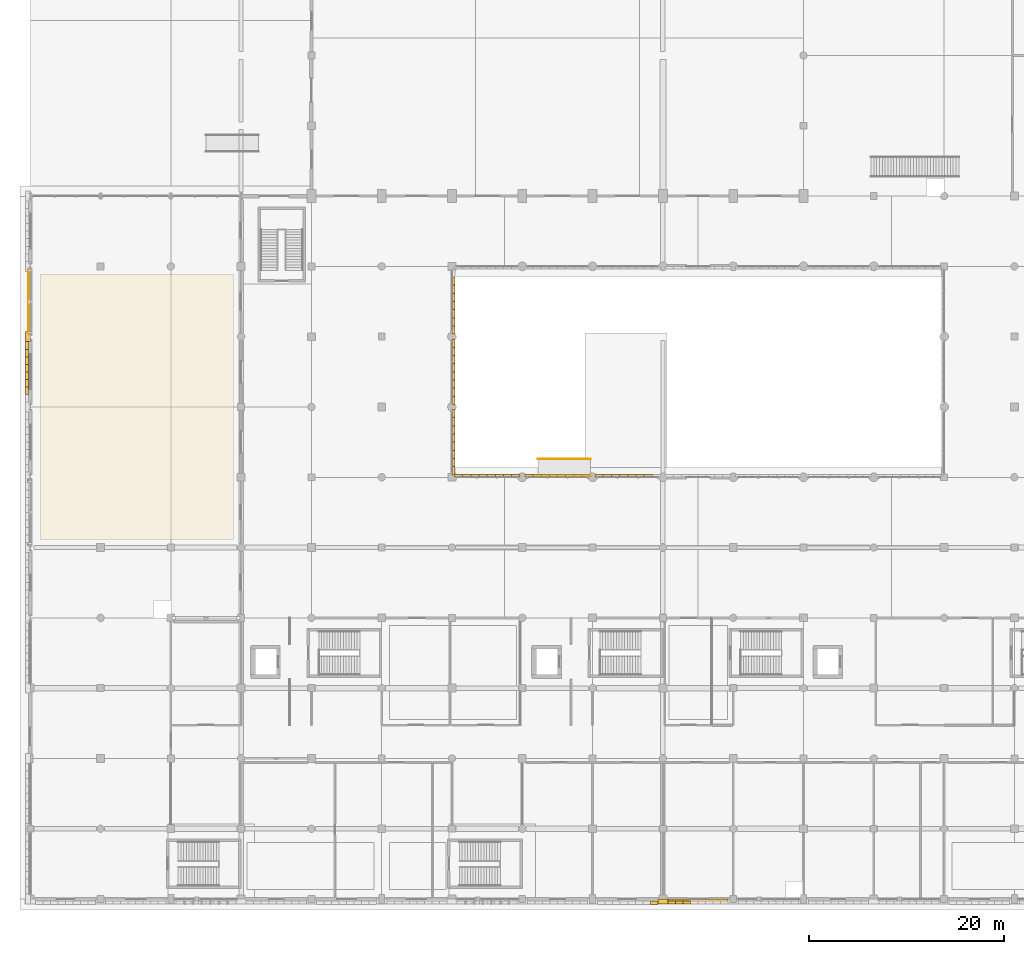
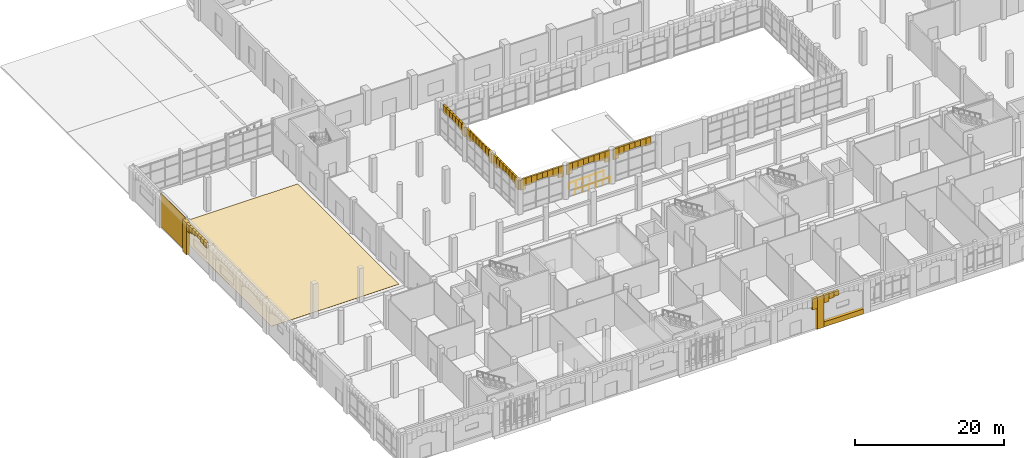
# One storey, part 71 of 85: 62 coverings, 2 railings.
"""IFC4 building model written with IfcOpenShell, lengths in metres."""

from ifc_helpers import new_model, si_unit, direction, frame, frame_2d, origin, origin_2d, place, context, subcontext, project, spatial, polyline, rectangle, circle, outline, extrude, material, layer, layer_set, type_object, element, save


model = new_model("IFC4")

# Units and contexts
model_context = context("Model", 3, precision=1e-05, world=origin(), true_north=direction((0.0, 1.0)))
body_context = subcontext(model_context, "Body", "Model", "MODEL_VIEW")
ifc_project = project(units=[si_unit("LENGTHUNIT", "METRE"), si_unit("AREAUNIT", "SQUARE_METRE"), si_unit("VOLUMEUNIT", "CUBIC_METRE"), si_unit("PLANEANGLEUNIT", "RADIAN"), si_unit("MASSUNIT", "GRAM", prefix="KILO")], contexts=[model_context])

# Site, building, storey
site_placement = place(None, origin())
site = spatial("IfcSite", under=ifc_project, at=site_placement, CompositionType="ELEMENT")
building_placement = place(site_placement, origin())
building = spatial("IfcBuilding", under=site, at=building_placement, Name="Sardonyx Promenade Sports Hall", CompositionType="ELEMENT")
storey_placement = place(building_placement, origin())
storey = spatial("IfcBuildingStorey", under=building, at=storey_placement, Name="L00", CompositionType="ELEMENT", Elevation=0.0)

# Coverings
ifc_material_1 = material(Name="Dressed Cape red sandstone ashlar", Category="masonry")
ifc_layer_1 = layer(ifc_material_1, 0.06005859375)
ifc_layer_set_1 = layer_set([ifc_layer_1], Name="Cov_Cladding_Sandstone")
covering_type_1 = type_object("IfcCoveringType", Name="Cov_Cladding_Sandstone", PredefinedType="CLADDING", material=ifc_layer_set_1)
covering_1_placement = place(storey_placement, frame((-0.18505859375, 57.8798828125, 0.050048828125), z_axis=(0.0, 0.0, 1.0), x_axis=(0.0, 1.0, 0.0)))
element("IfcCovering", 1, at=covering_1_placement, inside=storey, type_object=covering_type_1, Name="Dressed sandstone ashlar cladding L00 #136", PredefinedType="CLADDING", context=body_context, shape_type="SweptSolid", body=[
    extrude(rectangle(XDim=6.64013671875, YDim=0.050048828125, at=frame_2d((3.320068359375, 0.0))), origin(), (0.0, 0.0, 1.0), 5.5),
])
covering_2_placement = place(storey_placement, origin())
element("IfcCovering", 2, at=covering_2_placement, inside=storey, type_object=covering_type_1, Name="South sandstone bay pier casing L00 #9", PredefinedType="CLADDING", context=body_context, shape_type="SweptSolid", body=[
    extrude(outline(polyline([(64.280029296875, -0.52001953125), (65.320068359375, -0.52001953125), (65.320068359375, 0.02001953125), (64.280029296875, 0.02001953125), (64.280029296875, -0.52001953125)])), origin(), (0.0, 0.0, 1.0), 5.25),
])
covering_3_placement = place(storey_placement, origin())
element("IfcCovering", 3, at=covering_3_placement, inside=storey, type_object=covering_type_1, Name="South sandstone sill spandrel L00 #13", PredefinedType="CLADDING", context=body_context, shape_type="SweptSolid", body=[
    extrude(outline(polyline([(65.320068359375, -0.4599609375), (71.47998046875, -0.4599609375), (71.47998046875, 0.02001953125), (65.320068359375, 0.02001953125), (65.320068359375, -0.4599609375)])), origin(), (0.0, 0.0, 1.0), 0.820068359375),
])
covering_4_placement = place(storey_placement, origin())
element("IfcCovering", 4, at=covering_4_placement, inside=storey, type_object=covering_type_1, Name="West sandstone pier casing L00 #8", PredefinedType="CLADDING", context=body_context, shape_type="SweptSolid", body=[
    extrude(outline(polyline([(-0.5, 57.080078125), (0.02001953125, 57.080078125), (0.02001953125, 58.1201171875), (-0.5, 58.1201171875), (-0.5, 57.080078125)])), origin(), (0.0, 0.0, 1.0), 5.25),
])
ifc_material_2 = material(Name="EPDM polymeric athletic surfacing", Category="other")
ifc_layer_2 = layer(ifc_material_2, 0.02490234375)
ifc_layer_set_2 = layer_set([ifc_layer_2], Name="Cov_Floor_Athletic")
covering_type_2 = type_object("IfcCoveringType", Name="Cov_Floor_Athletic", PredefinedType="FLOORING", material=ifc_layer_set_2)
covering_5_placement = place(storey_placement, origin())
element("IfcCovering", 5, at=covering_5_placement, inside=storey, type_object=covering_type_2, Name="Athletic flooring FLR2 L00 #13", PredefinedType="FLOORING", context=body_context, shape_type="SweptSolid", body=[
    extrude(outline(polyline([(1.0, 36.800048828125), (20.800048828125, 36.800048828125), (20.800048828125, 64.0), (1.0, 64.0), (1.0, 36.800048828125)])), origin(), (0.0, 0.0, 1.0), 0.02490234375),
])
ifc_material_3 = material(Name="Carved Cape red sandstone ashlar", Category="masonry")
ifc_layer_3 = layer(ifc_material_3, 0.239990234375)
ifc_layer_set_3 = layer_set([ifc_layer_3], Name="Cov_Mughal_Arch")
covering_type_3 = type_object("IfcCoveringType", Name="Cov_Mughal_Arch", PredefinedType="CLADDING", material=ifc_layer_set_3)
covering_6_placement = place(storey_placement, frame((43.449951171875, 43.35009765625, 3.584716796875), z_axis=(0.0, 0.0, 1.0), x_axis=(1.0, 0.0, 0.0)))
element("IfcCovering", 6, at=covering_6_placement, inside=storey, type_object=covering_type_3, Name="Mughal pointed-arch spandrel L00 cov:rq:S:L00:0 #1", PredefinedType="CLADDING", context=body_context, shape_type="SweptSolid", body=[
    extrude(rectangle(XDim=0.837646484375, YDim=0.280029296875, at=frame_2d((0.4189453125, 0.0))), origin(), (0.0, 0.0, 1.0), 1.765380859375),
])
covering_7_placement = place(storey_placement, frame((44.28759765625, 43.35009765625, 4.041748046875), z_axis=(0.0, 0.0, 1.0), x_axis=(1.0, 0.0, 0.0)))
element("IfcCovering", 7, at=covering_7_placement, inside=storey, type_object=covering_type_3, Name="Mughal pointed-arch spandrel L00 cov:rq:S:L00:0 #2", PredefinedType="CLADDING", context=body_context, shape_type="SweptSolid", body=[
    extrude(rectangle(XDim=0.83740234375, YDim=0.280029296875, at=frame_2d((0.418701171875, 0.0))), origin(), (0.0, 0.0, 1.0), 1.308349609375),
])
covering_8_placement = place(storey_placement, frame((45.125, 43.35009765625, 4.212158203125), z_axis=(0.0, 0.0, 1.0), x_axis=(1.0, 0.0, 0.0)))
element("IfcCovering", 8, at=covering_8_placement, inside=storey, type_object=covering_type_3, Name="Mughal pointed-arch spandrel L00 cov:rq:S:L00:0 #3", PredefinedType="CLADDING", context=body_context, shape_type="SweptSolid", body=[
    extrude(rectangle(XDim=0.83740234375, YDim=0.280029296875, at=frame_2d((0.418701171875, 0.0))), origin(), (0.0, 0.0, 1.0), 1.137939453125),
])
covering_9_placement = place(storey_placement, frame((45.96240234375, 43.35009765625, 4.429931640625), z_axis=(0.0, 0.0, 1.0), x_axis=(1.0, 0.0, 0.0)))
element("IfcCovering", 9, at=covering_9_placement, inside=storey, type_object=covering_type_3, Name="Mughal pointed-arch spandrel L00 cov:rq:S:L00:0 #4", PredefinedType="CLADDING", context=body_context, shape_type="SweptSolid", body=[
    extrude(rectangle(XDim=0.837646484375, YDim=0.280029296875, at=frame_2d((0.4189453125, 0.0))), origin(), (0.0, 0.0, 1.0), 0.920166015625),
])
covering_10_placement = place(storey_placement, frame((46.800048828125, 43.35009765625, 4.429931640625), z_axis=(0.0, 0.0, 1.0), x_axis=(1.0, 0.0, 0.0)))
element("IfcCovering", 10, at=covering_10_placement, inside=storey, type_object=covering_type_3, Name="Mughal pointed-arch spandrel L00 cov:rq:S:L00:0 #5", PredefinedType="CLADDING", context=body_context, shape_type="SweptSolid", body=[
    extrude(rectangle(XDim=0.83740234375, YDim=0.280029296875, at=frame_2d((0.418701171875, 0.0))), origin(), (0.0, 0.0, 1.0), 0.920166015625),
])
covering_11_placement = place(storey_placement, frame((47.637451171875, 43.35009765625, 4.212158203125), z_axis=(0.0, 0.0, 1.0), x_axis=(1.0, 0.0, 0.0)))
element("IfcCovering", 11, at=covering_11_placement, inside=storey, type_object=covering_type_3, Name="Mughal pointed-arch spandrel L00 cov:rq:S:L00:0 #6", PredefinedType="CLADDING", context=body_context, shape_type="SweptSolid", body=[
    extrude(rectangle(XDim=0.837646484375, YDim=0.280029296875, at=frame_2d((0.4189453125, 0.0))), origin(), (0.0, 0.0, 1.0), 1.137939453125),
])
covering_12_placement = place(storey_placement, frame((48.47509765625, 43.35009765625, 4.041748046875), z_axis=(0.0, 0.0, 1.0), x_axis=(1.0, 0.0, 0.0)))
element("IfcCovering", 12, at=covering_12_placement, inside=storey, type_object=covering_type_3, Name="Mughal pointed-arch spandrel L00 cov:rq:S:L00:0 #7", PredefinedType="CLADDING", context=body_context, shape_type="SweptSolid", body=[
    extrude(rectangle(XDim=0.83740234375, YDim=0.280029296875, at=frame_2d((0.418701171875, 0.0))), origin(), (0.0, 0.0, 1.0), 1.308349609375),
])
covering_13_placement = place(storey_placement, frame((49.3125, 43.35009765625, 3.584716796875), z_axis=(0.0, 0.0, 1.0), x_axis=(1.0, 0.0, 0.0)))
element("IfcCovering", 13, at=covering_13_placement, inside=storey, type_object=covering_type_3, Name="Mughal pointed-arch spandrel L00 cov:rq:S:L00:0 #8", PredefinedType="CLADDING", context=body_context, shape_type="SweptSolid", body=[
    extrude(rectangle(XDim=0.83740234375, YDim=0.280029296875, at=frame_2d((0.418701171875, 0.0))), origin(), (0.0, 0.0, 1.0), 1.765380859375),
])
covering_14_placement = place(storey_placement, frame((50.64990234375, 43.35009765625, 3.584716796875), z_axis=(0.0, 0.0, 1.0), x_axis=(1.0, 0.0, 0.0)))
element("IfcCovering", 14, at=covering_14_placement, inside=storey, type_object=covering_type_3, Name="Mughal pointed-arch spandrel L00 cov:rq:S:L00:1 #1", PredefinedType="CLADDING", context=body_context, shape_type="SweptSolid", body=[
    extrude(rectangle(XDim=0.837646484375, YDim=0.280029296875, at=frame_2d((0.4189453125, 0.0))), origin(), (0.0, 0.0, 1.0), 1.765380859375),
])
covering_15_placement = place(storey_placement, frame((51.487548828125, 43.35009765625, 4.041748046875), z_axis=(0.0, 0.0, 1.0), x_axis=(1.0, 0.0, 0.0)))
element("IfcCovering", 15, at=covering_15_placement, inside=storey, type_object=covering_type_3, Name="Mughal pointed-arch spandrel L00 cov:rq:S:L00:1 #2", PredefinedType="CLADDING", context=body_context, shape_type="SweptSolid", body=[
    extrude(rectangle(XDim=0.83740234375, YDim=0.280029296875, at=frame_2d((0.418701171875, 0.0))), origin(), (0.0, 0.0, 1.0), 1.308349609375),
])
covering_16_placement = place(storey_placement, frame((52.324951171875, 43.35009765625, 4.212158203125), z_axis=(0.0, 0.0, 1.0), x_axis=(1.0, 0.0, 0.0)))
element("IfcCovering", 16, at=covering_16_placement, inside=storey, type_object=covering_type_3, Name="Mughal pointed-arch spandrel L00 cov:rq:S:L00:1 #3", PredefinedType="CLADDING", context=body_context, shape_type="SweptSolid", body=[
    extrude(rectangle(XDim=0.837646484375, YDim=0.280029296875, at=frame_2d((0.4189453125, 0.0))), origin(), (0.0, 0.0, 1.0), 1.137939453125),
])
for number, where, z_axis, x_axis, name in (
    (17, (53.16259765625, 43.35009765625, 4.429931640625), (0.0, 0.0, 1.0), (1.0, 0.0, 0.0), "Mughal pointed-arch spandrel L00 cov:rq:S:L00:1 #4"),
    (18, (54.0, 43.35009765625, 4.429931640625), (0.0, 0.0, 1.0), (1.0, 0.0, 0.0), "Mughal pointed-arch spandrel L00 cov:rq:S:L00:1 #5"),
):
    element("IfcCovering", number, at=place(storey_placement, frame(where, z_axis=z_axis, x_axis=x_axis)), inside=storey, type_object=covering_type_3, Name=name, PredefinedType="CLADDING", context=body_context, shape_type="SweptSolid", body=[
        extrude(rectangle(XDim=0.83740234375, YDim=0.280029296875, at=frame_2d((0.418701171875, 0.0))), origin(), (0.0, 0.0, 1.0), 0.920166015625),
    ])
covering_17_placement = place(storey_placement, frame((54.83740234375, 43.35009765625, 4.212158203125), z_axis=(0.0, 0.0, 1.0), x_axis=(1.0, 0.0, 0.0)))
element("IfcCovering", 19, at=covering_17_placement, inside=storey, type_object=covering_type_3, Name="Mughal pointed-arch spandrel L00 cov:rq:S:L00:1 #6", PredefinedType="CLADDING", context=body_context, shape_type="SweptSolid", body=[
    extrude(rectangle(XDim=0.837646484375, YDim=0.280029296875, at=frame_2d((0.4189453125, 0.0))), origin(), (0.0, 0.0, 1.0), 1.137939453125),
])
covering_18_placement = place(storey_placement, frame((55.675048828125, 43.35009765625, 4.041748046875), z_axis=(0.0, 0.0, 1.0), x_axis=(1.0, 0.0, 0.0)))
element("IfcCovering", 20, at=covering_18_placement, inside=storey, type_object=covering_type_3, Name="Mughal pointed-arch spandrel L00 cov:rq:S:L00:1 #7", PredefinedType="CLADDING", context=body_context, shape_type="SweptSolid", body=[
    extrude(rectangle(XDim=0.83740234375, YDim=0.280029296875, at=frame_2d((0.418701171875, 0.0))), origin(), (0.0, 0.0, 1.0), 1.308349609375),
])
covering_19_placement = place(storey_placement, frame((56.512451171875, 43.35009765625, 3.584716796875), z_axis=(0.0, 0.0, 1.0), x_axis=(1.0, 0.0, 0.0)))
element("IfcCovering", 21, at=covering_19_placement, inside=storey, type_object=covering_type_3, Name="Mughal pointed-arch spandrel L00 cov:rq:S:L00:1 #8", PredefinedType="CLADDING", context=body_context, shape_type="SweptSolid", body=[
    extrude(rectangle(XDim=0.837646484375, YDim=0.280029296875, at=frame_2d((0.4189453125, 0.0))), origin(), (0.0, 0.0, 1.0), 1.765380859375),
])
covering_20_placement = place(storey_placement, frame((57.85009765625, 43.35009765625, 3.584716796875), z_axis=(0.0, 0.0, 1.0), x_axis=(1.0, 0.0, 0.0)))
element("IfcCovering", 22, at=covering_20_placement, inside=storey, type_object=covering_type_3, Name="Mughal pointed-arch spandrel L00 cov:rq:S:L00:2 #1", PredefinedType="CLADDING", context=body_context, shape_type="SweptSolid", body=[
    extrude(rectangle(XDim=0.83740234375, YDim=0.280029296875, at=frame_2d((0.418701171875, 0.0))), origin(), (0.0, 0.0, 1.0), 1.765380859375),
])
covering_21_placement = place(storey_placement, frame((58.6875, 43.35009765625, 4.041748046875), z_axis=(0.0, 0.0, 1.0), x_axis=(1.0, 0.0, 0.0)))
element("IfcCovering", 23, at=covering_21_placement, inside=storey, type_object=covering_type_3, Name="Mughal pointed-arch spandrel L00 cov:rq:S:L00:2 #2", PredefinedType="CLADDING", context=body_context, shape_type="SweptSolid", body=[
    extrude(rectangle(XDim=0.83740234375, YDim=0.280029296875, at=frame_2d((0.418701171875, 0.0))), origin(), (0.0, 0.0, 1.0), 1.308349609375),
])
covering_22_placement = place(storey_placement, frame((59.52490234375, 43.35009765625, 4.212158203125), z_axis=(0.0, 0.0, 1.0), x_axis=(1.0, 0.0, 0.0)))
element("IfcCovering", 24, at=covering_22_placement, inside=storey, type_object=covering_type_3, Name="Mughal pointed-arch spandrel L00 cov:rq:S:L00:2 #3", PredefinedType="CLADDING", context=body_context, shape_type="SweptSolid", body=[
    extrude(rectangle(XDim=0.837646484375, YDim=0.280029296875, at=frame_2d((0.4189453125, 0.0))), origin(), (0.0, 0.0, 1.0), 1.137939453125),
])
covering_23_placement = place(storey_placement, frame((60.362548828125, 43.35009765625, 4.429931640625), z_axis=(0.0, 0.0, 1.0), x_axis=(1.0, 0.0, 0.0)))
element("IfcCovering", 25, at=covering_23_placement, inside=storey, type_object=covering_type_3, Name="Mughal pointed-arch spandrel L00 cov:rq:S:L00:2 #4", PredefinedType="CLADDING", context=body_context, shape_type="SweptSolid", body=[
    extrude(rectangle(XDim=0.83740234375, YDim=0.280029296875, at=frame_2d((0.418701171875, 0.0))), origin(), (0.0, 0.0, 1.0), 0.920166015625),
])
covering_24_placement = place(storey_placement, frame((61.199951171875, 43.35009765625, 4.429931640625), z_axis=(0.0, 0.0, 1.0), x_axis=(1.0, 0.0, 0.0)))
element("IfcCovering", 26, at=covering_24_placement, inside=storey, type_object=covering_type_3, Name="Mughal pointed-arch spandrel L00 cov:rq:S:L00:2 #5", PredefinedType="CLADDING", context=body_context, shape_type="SweptSolid", body=[
    extrude(rectangle(XDim=0.837646484375, YDim=0.280029296875, at=frame_2d((0.4189453125, 0.0))), origin(), (0.0, 0.0, 1.0), 0.920166015625),
])
covering_25_placement = place(storey_placement, frame((62.03759765625, 43.35009765625, 4.212158203125), z_axis=(0.0, 0.0, 1.0), x_axis=(1.0, 0.0, 0.0)))
element("IfcCovering", 27, at=covering_25_placement, inside=storey, type_object=covering_type_3, Name="Mughal pointed-arch spandrel L00 cov:rq:S:L00:2 #6", PredefinedType="CLADDING", context=body_context, shape_type="SweptSolid", body=[
    extrude(rectangle(XDim=0.83740234375, YDim=0.280029296875, at=frame_2d((0.418701171875, 0.0))), origin(), (0.0, 0.0, 1.0), 1.137939453125),
])
covering_26_placement = place(storey_placement, frame((62.875, 43.35009765625, 4.041748046875), z_axis=(0.0, 0.0, 1.0), x_axis=(1.0, 0.0, 0.0)))
element("IfcCovering", 28, at=covering_26_placement, inside=storey, type_object=covering_type_3, Name="Mughal pointed-arch spandrel L00 cov:rq:S:L00:2 #7", PredefinedType="CLADDING", context=body_context, shape_type="SweptSolid", body=[
    extrude(rectangle(XDim=0.83740234375, YDim=0.280029296875, at=frame_2d((0.418701171875, 0.0))), origin(), (0.0, 0.0, 1.0), 1.308349609375),
])
covering_27_placement = place(storey_placement, frame((43.35009765625, 43.449951171875, 3.584716796875), z_axis=(0.0, 0.0, 1.0), x_axis=(0.0, 1.0, 0.0)))
element("IfcCovering", 29, at=covering_27_placement, inside=storey, type_object=covering_type_3, Name="Mughal pointed-arch spandrel L00 cov:rq:W:L00:0 #1", PredefinedType="CLADDING", context=body_context, shape_type="SweptSolid", body=[
    extrude(rectangle(XDim=0.837646484375, YDim=0.280029296875, at=frame_2d((0.4189453125, 0.0))), origin(), (0.0, 0.0, 1.0), 1.765380859375),
])
covering_28_placement = place(storey_placement, frame((43.35009765625, 44.28759765625, 4.041748046875), z_axis=(0.0, 0.0, 1.0), x_axis=(0.0, 1.0, 0.0)))
element("IfcCovering", 30, at=covering_28_placement, inside=storey, type_object=covering_type_3, Name="Mughal pointed-arch spandrel L00 cov:rq:W:L00:0 #2", PredefinedType="CLADDING", context=body_context, shape_type="SweptSolid", body=[
    extrude(rectangle(XDim=0.83740234375, YDim=0.280029296875, at=frame_2d((0.418701171875, 0.0))), origin(), (0.0, 0.0, 1.0), 1.308349609375),
])
covering_29_placement = place(storey_placement, frame((43.35009765625, 45.125, 4.212158203125), z_axis=(0.0, 0.0, 1.0), x_axis=(0.0, 1.0, 0.0)))
element("IfcCovering", 31, at=covering_29_placement, inside=storey, type_object=covering_type_3, Name="Mughal pointed-arch spandrel L00 cov:rq:W:L00:0 #3", PredefinedType="CLADDING", context=body_context, shape_type="SweptSolid", body=[
    extrude(rectangle(XDim=0.83740234375, YDim=0.280029296875, at=frame_2d((0.418701171875, 0.0))), origin(), (0.0, 0.0, 1.0), 1.137939453125),
])
covering_30_placement = place(storey_placement, frame((43.35009765625, 45.96240234375, 4.429931640625), z_axis=(0.0, 0.0, 1.0), x_axis=(0.0, 1.0, 0.0)))
element("IfcCovering", 32, at=covering_30_placement, inside=storey, type_object=covering_type_3, Name="Mughal pointed-arch spandrel L00 cov:rq:W:L00:0 #4", PredefinedType="CLADDING", context=body_context, shape_type="SweptSolid", body=[
    extrude(rectangle(XDim=0.837646484375, YDim=0.280029296875, at=frame_2d((0.4189453125, 0.0))), origin(), (0.0, 0.0, 1.0), 0.920166015625),
])
covering_31_placement = place(storey_placement, frame((43.35009765625, 46.800048828125, 4.429931640625), z_axis=(0.0, 0.0, 1.0), x_axis=(0.0, 1.0, 0.0)))
element("IfcCovering", 33, at=covering_31_placement, inside=storey, type_object=covering_type_3, Name="Mughal pointed-arch spandrel L00 cov:rq:W:L00:0 #5", PredefinedType="CLADDING", context=body_context, shape_type="SweptSolid", body=[
    extrude(rectangle(XDim=0.83740234375, YDim=0.280029296875, at=frame_2d((0.418701171875, 0.0))), origin(), (0.0, 0.0, 1.0), 0.920166015625),
])
covering_32_placement = place(storey_placement, frame((43.35009765625, 47.637451171875, 4.212158203125), z_axis=(0.0, 0.0, 1.0), x_axis=(0.0, 1.0, 0.0)))
element("IfcCovering", 34, at=covering_32_placement, inside=storey, type_object=covering_type_3, Name="Mughal pointed-arch spandrel L00 cov:rq:W:L00:0 #6", PredefinedType="CLADDING", context=body_context, shape_type="SweptSolid", body=[
    extrude(rectangle(XDim=0.837646484375, YDim=0.280029296875, at=frame_2d((0.4189453125, 0.0))), origin(), (0.0, 0.0, 1.0), 1.137939453125),
])
covering_33_placement = place(storey_placement, frame((43.35009765625, 48.47509765625, 4.041748046875), z_axis=(0.0, 0.0, 1.0), x_axis=(0.0, 1.0, 0.0)))
element("IfcCovering", 35, at=covering_33_placement, inside=storey, type_object=covering_type_3, Name="Mughal pointed-arch spandrel L00 cov:rq:W:L00:0 #7", PredefinedType="CLADDING", context=body_context, shape_type="SweptSolid", body=[
    extrude(rectangle(XDim=0.83740234375, YDim=0.280029296875, at=frame_2d((0.418701171875, 0.0))), origin(), (0.0, 0.0, 1.0), 1.308349609375),
])
covering_34_placement = place(storey_placement, frame((43.35009765625, 49.3125, 3.584716796875), z_axis=(0.0, 0.0, 1.0), x_axis=(0.0, 1.0, 0.0)))
element("IfcCovering", 36, at=covering_34_placement, inside=storey, type_object=covering_type_3, Name="Mughal pointed-arch spandrel L00 cov:rq:W:L00:0 #8", PredefinedType="CLADDING", context=body_context, shape_type="SweptSolid", body=[
    extrude(rectangle(XDim=0.83740234375, YDim=0.280029296875, at=frame_2d((0.418701171875, 0.0))), origin(), (0.0, 0.0, 1.0), 1.765380859375),
])
covering_35_placement = place(storey_placement, frame((43.35009765625, 50.64990234375, 3.584716796875), z_axis=(0.0, 0.0, 1.0), x_axis=(0.0, 1.0, 0.0)))
element("IfcCovering", 37, at=covering_35_placement, inside=storey, type_object=covering_type_3, Name="Mughal pointed-arch spandrel L00 cov:rq:W:L00:1 #1", PredefinedType="CLADDING", context=body_context, shape_type="SweptSolid", body=[
    extrude(rectangle(XDim=0.837646484375, YDim=0.280029296875, at=frame_2d((0.4189453125, 0.0))), origin(), (0.0, 0.0, 1.0), 1.765380859375),
])
covering_36_placement = place(storey_placement, frame((43.35009765625, 51.487548828125, 4.041748046875), z_axis=(0.0, 0.0, 1.0), x_axis=(0.0, 1.0, 0.0)))
element("IfcCovering", 38, at=covering_36_placement, inside=storey, type_object=covering_type_3, Name="Mughal pointed-arch spandrel L00 cov:rq:W:L00:1 #2", PredefinedType="CLADDING", context=body_context, shape_type="SweptSolid", body=[
    extrude(rectangle(XDim=0.83740234375, YDim=0.280029296875, at=frame_2d((0.418701171875, 0.0))), origin(), (0.0, 0.0, 1.0), 1.308349609375),
])
covering_37_placement = place(storey_placement, frame((43.35009765625, 52.324951171875, 4.212158203125), z_axis=(0.0, 0.0, 1.0), x_axis=(0.0, 1.0, 0.0)))
element("IfcCovering", 39, at=covering_37_placement, inside=storey, type_object=covering_type_3, Name="Mughal pointed-arch spandrel L00 cov:rq:W:L00:1 #3", PredefinedType="CLADDING", context=body_context, shape_type="SweptSolid", body=[
    extrude(rectangle(XDim=0.837646484375, YDim=0.280029296875, at=frame_2d((0.4189453125, 0.0))), origin(), (0.0, 0.0, 1.0), 1.137939453125),
])
for number, where, z_axis, x_axis, name in (
    (40, (43.35009765625, 53.16259765625, 4.429931640625), (0.0, 0.0, 1.0), (0.0, 1.0, 0.0), "Mughal pointed-arch spandrel L00 cov:rq:W:L00:1 #4"),
    (41, (43.35009765625, 54.0, 4.429931640625), (0.0, 0.0, 1.0), (0.0, 1.0, 0.0), "Mughal pointed-arch spandrel L00 cov:rq:W:L00:1 #5"),
):
    element("IfcCovering", number, at=place(storey_placement, frame(where, z_axis=z_axis, x_axis=x_axis)), inside=storey, type_object=covering_type_3, Name=name, PredefinedType="CLADDING", context=body_context, shape_type="SweptSolid", body=[
        extrude(rectangle(XDim=0.83740234375, YDim=0.280029296875, at=frame_2d((0.418701171875, 0.0))), origin(), (0.0, 0.0, 1.0), 0.920166015625),
    ])
covering_38_placement = place(storey_placement, frame((43.35009765625, 54.83740234375, 4.212158203125), z_axis=(0.0, 0.0, 1.0), x_axis=(0.0, 1.0, 0.0)))
element("IfcCovering", 42, at=covering_38_placement, inside=storey, type_object=covering_type_3, Name="Mughal pointed-arch spandrel L00 cov:rq:W:L00:1 #6", PredefinedType="CLADDING", context=body_context, shape_type="SweptSolid", body=[
    extrude(rectangle(XDim=0.837646484375, YDim=0.280029296875, at=frame_2d((0.4189453125, 0.0))), origin(), (0.0, 0.0, 1.0), 1.137939453125),
])
covering_39_placement = place(storey_placement, frame((43.35009765625, 55.675048828125, 4.041748046875), z_axis=(0.0, 0.0, 1.0), x_axis=(0.0, 1.0, 0.0)))
element("IfcCovering", 43, at=covering_39_placement, inside=storey, type_object=covering_type_3, Name="Mughal pointed-arch spandrel L00 cov:rq:W:L00:1 #7", PredefinedType="CLADDING", context=body_context, shape_type="SweptSolid", body=[
    extrude(rectangle(XDim=0.83740234375, YDim=0.280029296875, at=frame_2d((0.418701171875, 0.0))), origin(), (0.0, 0.0, 1.0), 1.308349609375),
])
covering_40_placement = place(storey_placement, frame((43.35009765625, 56.512451171875, 3.584716796875), z_axis=(0.0, 0.0, 1.0), x_axis=(0.0, 1.0, 0.0)))
element("IfcCovering", 44, at=covering_40_placement, inside=storey, type_object=covering_type_3, Name="Mughal pointed-arch spandrel L00 cov:rq:W:L00:1 #8", PredefinedType="CLADDING", context=body_context, shape_type="SweptSolid", body=[
    extrude(rectangle(XDim=0.837646484375, YDim=0.280029296875, at=frame_2d((0.4189453125, 0.0))), origin(), (0.0, 0.0, 1.0), 1.765380859375),
])
covering_41_placement = place(storey_placement, frame((43.35009765625, 57.85009765625, 3.584716796875), z_axis=(0.0, 0.0, 1.0), x_axis=(0.0, 1.0, 0.0)))
element("IfcCovering", 45, at=covering_41_placement, inside=storey, type_object=covering_type_3, Name="Mughal pointed-arch spandrel L00 cov:rq:W:L00:2 #1", PredefinedType="CLADDING", context=body_context, shape_type="SweptSolid", body=[
    extrude(rectangle(XDim=0.83740234375, YDim=0.280029296875, at=frame_2d((0.418701171875, 0.0))), origin(), (0.0, 0.0, 1.0), 1.765380859375),
])
covering_42_placement = place(storey_placement, frame((43.35009765625, 58.6875, 4.041748046875), z_axis=(0.0, 0.0, 1.0), x_axis=(0.0, 1.0, 0.0)))
element("IfcCovering", 46, at=covering_42_placement, inside=storey, type_object=covering_type_3, Name="Mughal pointed-arch spandrel L00 cov:rq:W:L00:2 #2", PredefinedType="CLADDING", context=body_context, shape_type="SweptSolid", body=[
    extrude(rectangle(XDim=0.83740234375, YDim=0.280029296875, at=frame_2d((0.418701171875, 0.0))), origin(), (0.0, 0.0, 1.0), 1.308349609375),
])
covering_43_placement = place(storey_placement, frame((43.35009765625, 59.52490234375, 4.212158203125), z_axis=(0.0, 0.0, 1.0), x_axis=(0.0, 1.0, 0.0)))
element("IfcCovering", 47, at=covering_43_placement, inside=storey, type_object=covering_type_3, Name="Mughal pointed-arch spandrel L00 cov:rq:W:L00:2 #3", PredefinedType="CLADDING", context=body_context, shape_type="SweptSolid", body=[
    extrude(rectangle(XDim=0.837646484375, YDim=0.280029296875, at=frame_2d((0.4189453125, 0.0))), origin(), (0.0, 0.0, 1.0), 1.137939453125),
])
covering_44_placement = place(storey_placement, frame((43.35009765625, 60.362548828125, 4.429931640625), z_axis=(0.0, 0.0, 1.0), x_axis=(0.0, 1.0, 0.0)))
element("IfcCovering", 48, at=covering_44_placement, inside=storey, type_object=covering_type_3, Name="Mughal pointed-arch spandrel L00 cov:rq:W:L00:2 #4", PredefinedType="CLADDING", context=body_context, shape_type="SweptSolid", body=[
    extrude(rectangle(XDim=0.83740234375, YDim=0.280029296875, at=frame_2d((0.418701171875, 0.0))), origin(), (0.0, 0.0, 1.0), 0.920166015625),
])
covering_45_placement = place(storey_placement, frame((43.35009765625, 61.199951171875, 4.429931640625), z_axis=(0.0, 0.0, 1.0), x_axis=(0.0, 1.0, 0.0)))
element("IfcCovering", 49, at=covering_45_placement, inside=storey, type_object=covering_type_3, Name="Mughal pointed-arch spandrel L00 cov:rq:W:L00:2 #5", PredefinedType="CLADDING", context=body_context, shape_type="SweptSolid", body=[
    extrude(rectangle(XDim=0.837646484375, YDim=0.280029296875, at=frame_2d((0.4189453125, 0.0))), origin(), (0.0, 0.0, 1.0), 0.920166015625),
])
covering_46_placement = place(storey_placement, frame((43.35009765625, 62.03759765625, 4.212158203125), z_axis=(0.0, 0.0, 1.0), x_axis=(0.0, 1.0, 0.0)))
element("IfcCovering", 50, at=covering_46_placement, inside=storey, type_object=covering_type_3, Name="Mughal pointed-arch spandrel L00 cov:rq:W:L00:2 #6", PredefinedType="CLADDING", context=body_context, shape_type="SweptSolid", body=[
    extrude(rectangle(XDim=0.83740234375, YDim=0.280029296875, at=frame_2d((0.418701171875, 0.0))), origin(), (0.0, 0.0, 1.0), 1.137939453125),
])
covering_47_placement = place(storey_placement, frame((43.35009765625, 62.875, 4.041748046875), z_axis=(0.0, 0.0, 1.0), x_axis=(0.0, 1.0, 0.0)))
element("IfcCovering", 51, at=covering_47_placement, inside=storey, type_object=covering_type_3, Name="Mughal pointed-arch spandrel L00 cov:rq:W:L00:2 #7", PredefinedType="CLADDING", context=body_context, shape_type="SweptSolid", body=[
    extrude(rectangle(XDim=0.83740234375, YDim=0.280029296875, at=frame_2d((0.418701171875, 0.0))), origin(), (0.0, 0.0, 1.0), 1.308349609375),
])
covering_48_placement = place(storey_placement, frame((65.320068359375, -0.360107421875, 3.977783203125), z_axis=(0.0, 0.0, 1.0), x_axis=(1.0, 0.0, 0.0)))
element("IfcCovering", 52, at=covering_48_placement, inside=storey, type_object=covering_type_3, Name="Mughal pointed-arch spandrel L00 cov:sl00arch:13 #1", PredefinedType="CLADDING", context=body_context, shape_type="SweptSolid", body=[
    extrude(rectangle(XDim=0.77001953125, YDim=0.340087890625, at=frame_2d((0.385009765625, 0.0))), origin(), (0.0, 0.0, 1.0), 1.272216796875),
])
covering_49_placement = place(storey_placement, frame((66.090087890625, -0.360107421875, 4.3671875), z_axis=(0.0, 0.0, 1.0), x_axis=(1.0, 0.0, 0.0)))
element("IfcCovering", 53, at=covering_49_placement, inside=storey, type_object=covering_type_3, Name="Mughal pointed-arch spandrel L00 cov:sl00arch:13 #2", PredefinedType="CLADDING", context=body_context, shape_type="SweptSolid", body=[
    extrude(rectangle(XDim=0.77001953125, YDim=0.340087890625, at=frame_2d((0.385009765625, 0.0))), origin(), (0.0, 0.0, 1.0), 0.8828125),
])
covering_50_placement = place(storey_placement, frame((66.860107421875, -0.360107421875, 4.51220703125), z_axis=(0.0, 0.0, 1.0), x_axis=(1.0, 0.0, 0.0)))
element("IfcCovering", 54, at=covering_50_placement, inside=storey, type_object=covering_type_3, Name="Mughal pointed-arch spandrel L00 cov:sl00arch:13 #3", PredefinedType="CLADDING", context=body_context, shape_type="SweptSolid", body=[
    extrude(rectangle(XDim=0.769775390625, YDim=0.340087890625, at=frame_2d((0.384765625, 0.0))), origin(), (0.0, 0.0, 1.0), 0.73779296875),
])
covering_51_placement = place(storey_placement, frame((63.510009765625, -0.360107421875, 3.463134765625), z_axis=(0.0, 0.0, 1.0), x_axis=(1.0, 0.0, 0.0)))
element("IfcCovering", 55, at=covering_51_placement, inside=storey, type_object=covering_type_3, Name="Mughal pointed-arch spandrel L00 cov:sdoorarch:14 #8", PredefinedType="CLADDING", context=body_context, shape_type="SweptSolid", body=[
    extrude(rectangle(XDim=0.77001953125, YDim=0.360107421875, at=frame_2d((0.385009765625, 0.0))), origin(), (0.0, 0.0, 1.0), 1.786865234375),
])
covering_52_placement = place(storey_placement, frame((-0.340087890625, 51.68994140625, 4.3671875), z_axis=(0.0, 0.0, 1.0), x_axis=(0.0, 1.0, 0.0)))
element("IfcCovering", 56, at=covering_52_placement, inside=storey, type_object=covering_type_3, Name="Mughal pointed-arch spandrel L00 cov:wl00arch:07 #2", PredefinedType="CLADDING", context=body_context, shape_type="SweptSolid", body=[
    extrude(rectangle(XDim=0.77001953125, YDim=0.340087890625, at=frame_2d((0.385009765625, 0.0))), origin(), (0.0, 0.0, 1.0), 0.8828125),
])
covering_53_placement = place(storey_placement, frame((-0.340087890625, 52.4599609375, 4.51220703125), z_axis=(0.0, 0.0, 1.0), x_axis=(0.0, 1.0, 0.0)))
element("IfcCovering", 57, at=covering_53_placement, inside=storey, type_object=covering_type_3, Name="Mughal pointed-arch spandrel L00 cov:wl00arch:07 #3", PredefinedType="CLADDING", context=body_context, shape_type="SweptSolid", body=[
    extrude(rectangle(XDim=0.77001953125, YDim=0.340087890625, at=frame_2d((0.385009765625, 0.0))), origin(), (0.0, 0.0, 1.0), 0.73779296875),
])
for number, where, z_axis, x_axis, name in (
    (58, (-0.340087890625, 53.22998046875, 4.69775390625), (0.0, 0.0, 1.0), (0.0, 1.0, 0.0), "Mughal pointed-arch spandrel L00 cov:wl00arch:07 #4"),
    (59, (-0.340087890625, 54.0, 4.69775390625), (0.0, 0.0, 1.0), (0.0, 1.0, 0.0), "Mughal pointed-arch spandrel L00 cov:wl00arch:07 #5"),
):
    element("IfcCovering", number, at=place(storey_placement, frame(where, z_axis=z_axis, x_axis=x_axis)), inside=storey, type_object=covering_type_3, Name=name, PredefinedType="CLADDING", context=body_context, shape_type="SweptSolid", body=[
        extrude(rectangle(XDim=0.77001953125, YDim=0.340087890625, at=frame_2d((0.385009765625, 0.0))), origin(), (0.0, 0.0, 1.0), 0.55224609375),
    ])
covering_54_placement = place(storey_placement, frame((-0.340087890625, 54.77001953125, 4.51220703125), z_axis=(0.0, 0.0, 1.0), x_axis=(0.0, 1.0, 0.0)))
element("IfcCovering", 60, at=covering_54_placement, inside=storey, type_object=covering_type_3, Name="Mughal pointed-arch spandrel L00 cov:wl00arch:07 #6", PredefinedType="CLADDING", context=body_context, shape_type="SweptSolid", body=[
    extrude(rectangle(XDim=0.77001953125, YDim=0.340087890625, at=frame_2d((0.385009765625, 0.0))), origin(), (0.0, 0.0, 1.0), 0.73779296875),
])
covering_55_placement = place(storey_placement, frame((-0.340087890625, 55.5400390625, 4.3671875), z_axis=(0.0, 0.0, 1.0), x_axis=(0.0, 1.0, 0.0)))
element("IfcCovering", 61, at=covering_55_placement, inside=storey, type_object=covering_type_3, Name="Mughal pointed-arch spandrel L00 cov:wl00arch:07 #7", PredefinedType="CLADDING", context=body_context, shape_type="SweptSolid", body=[
    extrude(rectangle(XDim=0.77001953125, YDim=0.340087890625, at=frame_2d((0.385009765625, 0.0))), origin(), (0.0, 0.0, 1.0), 0.8828125),
])
covering_56_placement = place(storey_placement, frame((-0.340087890625, 56.31005859375, 3.977783203125), z_axis=(0.0, 0.0, 1.0), x_axis=(0.0, 1.0, 0.0)))
element("IfcCovering", 62, at=covering_56_placement, inside=storey, type_object=covering_type_3, Name="Mughal pointed-arch spandrel L00 cov:wl00arch:07 #8", PredefinedType="CLADDING", context=body_context, shape_type="SweptSolid", body=[
    extrude(rectangle(XDim=0.77001953125, YDim=0.340087890625, at=frame_2d((0.385009765625, 0.0))), origin(), (0.0, 0.0, 1.0), 1.272216796875),
])

# Railings
ifc_material_4 = material(Name="Stainless steel Grade 316", Category="steel")
railing_type = type_object("IfcRailingType", Name="Rail_Ext_Handrail_900", PredefinedType="HANDRAIL", material=ifc_material_4)
for number, where, name in (
    (63, (52.0, 43.35009765625, -0.179931640625), "Ramp handrail HR01 #6S"),
    (64, (52.0, 45.050048828125, -0.179931640625), "Ramp handrail HR01 #6N"),
):
    element("IfcRailing", number, at=place(storey_placement, frame(where)), inside=storey, type_object=railing_type, Name=name, PredefinedType="HANDRAIL", context=body_context, shape_type="SweptSolid", body=[
        extrude(circle(Radius=0.02392578125, at=origin_2d()), frame((0.0, 0.0, 0.8759765625), z_axis=(0.999445308123, 0.0, 0.033302793747), x_axis=(0.0, 1.0, 0.0)), (0.0, 0.0, 1.0), 5.40283203125),
        extrude(circle(Radius=0.02099609375, at=origin_2d()), origin(), (0.0, 0.0, 1.0), 0.851806640625),
        extrude(circle(Radius=0.02099609375, at=origin_2d()), frame((1.080078125, 0.0, 0.035888671875)), (0.0, 0.0, 1.0), 0.851806640625),
        extrude(circle(Radius=0.02099609375, at=origin_2d()), frame((2.159912109375, 0.0, 0.072021484375)), (0.0, 0.0, 1.0), 0.851806640625),
        extrude(circle(Radius=0.02099609375, at=origin_2d()), frame((3.239990234375, 0.0, 0.10791015625)), (0.0, 0.0, 1.0), 0.851806640625),
        extrude(circle(Radius=0.02099609375, at=origin_2d()), frame((4.31982421875, 0.0, 0.14404296875)), (0.0, 0.0, 1.0), 0.851806640625),
        extrude(circle(Radius=0.02099609375, at=origin_2d()), frame((5.39990234375, 0.0, 0.179931640625)), (0.0, 0.0, 1.0), 0.851806640625),
    ])

save(model, "model.ifc")
